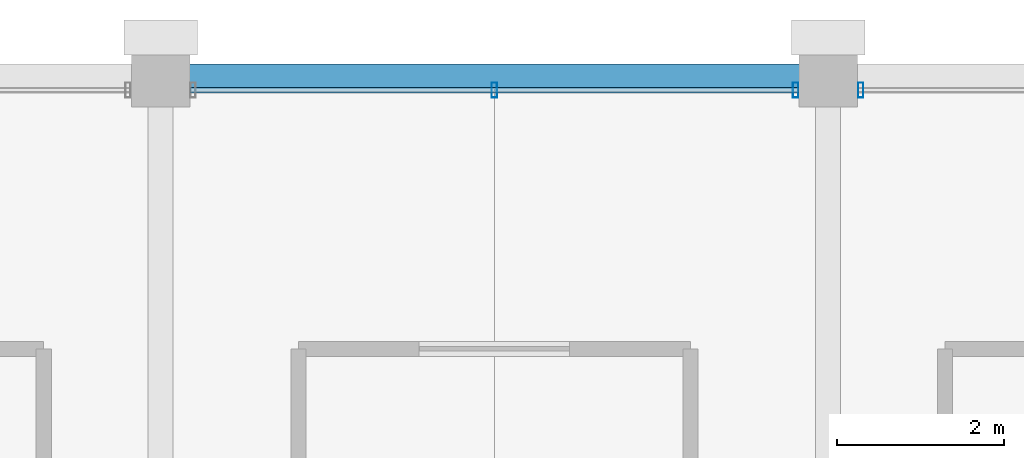
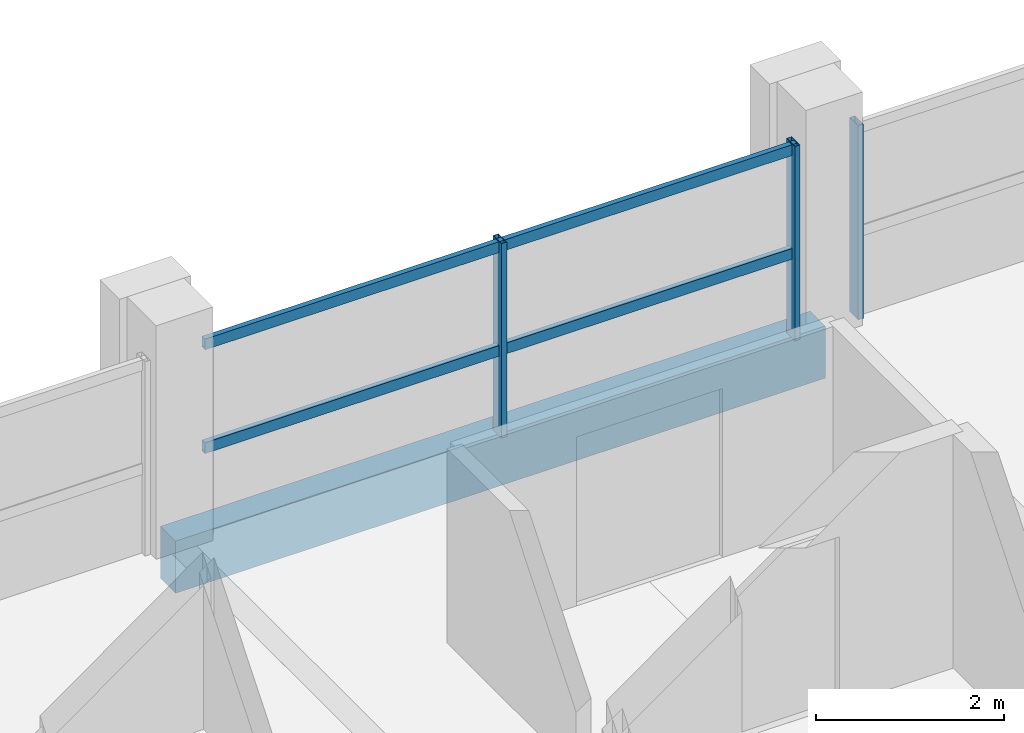
# One storey, part 17 of 24: 5 members, 1 beam, 2 elements without a shape of their own.
"""IFC4 building model written with IfcOpenShell, lengths in metres."""

from ifc_helpers import new_model, si_unit, direction, frame, origin, origin_2d, place, context, subcontext, project, spatial, rectangle, hollow_rectangle, extrude, material, material_profile, profile_set, type_object, element, aggregate, save


model = new_model("IFC4")

# Units and contexts
model_context = context("Model", 3, precision=1e-05, world=origin(), true_north=direction((0.0, 1.0)))
body_context = subcontext(model_context, "Body", "Model", "MODEL_VIEW")
ifc_project = project(units=[si_unit("LENGTHUNIT", "METRE"), si_unit("AREAUNIT", "SQUARE_METRE"), si_unit("VOLUMEUNIT", "CUBIC_METRE"), si_unit("PLANEANGLEUNIT", "RADIAN"), si_unit("MASSUNIT", "GRAM", prefix="KILO")], contexts=[model_context])

# Site, building, storey
site_placement = place(None, origin())
site = spatial("IfcSite", under=ifc_project, at=site_placement, CompositionType="ELEMENT")
building_placement = place(site_placement, origin())
building = spatial("IfcBuilding", under=site, at=building_placement, Name="Akrevak Sports Hall", CompositionType="ELEMENT")
storey_placement = place(building_placement, frame((0.0, 0.0, 60.050048828125)))
storey = spatial("IfcBuildingStorey", under=building, at=storey_placement, Name="L15", CompositionType="ELEMENT", Elevation=60.050048828125)

# Curtain wall, member
ifc_material_1 = material(Name="Anodized Bronze Aluminium & Low-E Glass", Category="aluminium")
curtain_wall_type = type_object("IfcCurtainWallType", Name="ARC-CW-TWR-56x30", PredefinedType="NOTDEFINED", material=ifc_material_1)
curtain_wall_1_placement = place(storey_placement, origin())
curtain_wall_1 = element("IfcCurtainWall", 1, at=curtain_wall_1_placement, inside=storey, type_object=curtain_wall_type, Name="Curtain Wall CW-L15-N19", PredefinedType="NOTDEFINED")
ifc_material_2 = material(Name="Anodized Bronze Aluminium", Category="aluminium")
ifc_material_profile_1 = material_profile(ifc_material_2, hollow_rectangle(XDim=0.06494140625, YDim=0.179931640625, WallThickness=0.00390625, at=origin_2d()), Name="CWM 65x180", Category="aluminium")
ifc_profile_set_1 = profile_set([ifc_material_profile_1], Name="Anodized Bronze Aluminium")
member_type_1 = type_object("IfcMemberType", Name="ARC-CWM-65x140", PredefinedType="MULLION", material=ifc_profile_set_1)
member_1_placement = place(storey_placement, frame((84.389892578125, 69.449951171875, 0.0), z_axis=(0.0, 0.0, 1.0), x_axis=(-1.0, 0.0, 0.0)))
member_1 = element("IfcMember", 2, at=member_1_placement, type_object=member_type_1, Name="Curtain Wall Mullion CW-L15-N19-M3", PredefinedType="MULLION", context=body_context, shape_type="SweptSolid", body=[
    extrude(hollow_rectangle(XDim=0.06494140625, YDim=0.179931640625, WallThickness=0.00390625, at=origin_2d()), origin(), (0.0, 0.0, 1.0), 2.530029296875),
])
aggregate(curtain_wall_1, [member_1])

# Curtain wall, members
curtain_wall_2_placement = place(storey_placement, origin())
curtain_wall_2 = element("IfcCurtainWall", 3, at=curtain_wall_2_placement, inside=storey, type_object=curtain_wall_type, Name="Curtain Wall CW-L15-N20", PredefinedType="NOTDEFINED")
member_2_placement = place(storey_placement, frame((83.610107421875, 69.449951171875, 0.0), z_axis=(0.0, 0.0, 1.0), x_axis=(-1.0, 0.0, 0.0)))
member_2 = element("IfcMember", 4, at=member_2_placement, type_object=member_type_1, Name="Curtain Wall Mullion CW-L15-N20-M1", PredefinedType="MULLION", context=body_context, shape_type="SweptSolid", body=[
    extrude(hollow_rectangle(XDim=0.06494140625, YDim=0.179931640625, WallThickness=0.00390625, at=origin_2d()), origin(), (0.0, 0.0, 1.0), 2.530029296875),
])
member_3_placement = place(storey_placement, frame((80.0, 69.449951171875, 0.0), z_axis=(0.0, 0.0, 1.0), x_axis=(-1.0, 0.0, 0.0)))
member_3 = element("IfcMember", 5, at=member_3_placement, type_object=member_type_1, Name="Curtain Wall Mullion CW-L15-N20-M2", PredefinedType="MULLION", context=body_context, shape_type="SweptSolid", body=[
    extrude(hollow_rectangle(XDim=0.06494140625, YDim=0.179931640625, WallThickness=0.00390625, at=origin_2d()), origin(), (0.0, 0.0, 1.0), 2.530029296875),
])
ifc_material_profile_2 = material_profile(ifc_material_2, hollow_rectangle(XDim=0.06494140625, YDim=0.139892578125, WallThickness=0.00390625, at=origin_2d()), Name="CWT 65x140", Category="aluminium")
ifc_profile_set_2 = profile_set([ifc_material_profile_2], Name="Anodized Bronze Aluminium")
member_type_2 = type_object("IfcMemberType", Name="ARC-CWT-65x110", PredefinedType="USERDEFINED", material=ifc_profile_set_2)
member_4_placement = place(storey_placement, frame((83.64990234375, 69.449951171875, 1.099853515625), z_axis=(-1.0, 0.0, 0.0), x_axis=(0.0, -1.0, 0.0)))
member_4 = element("IfcMember", 6, at=member_4_placement, type_object=member_type_2, Name="Curtain Wall Transom CW-L15-N20-T1", ObjectType="TRANSOM", PredefinedType="USERDEFINED", context=body_context, shape_type="SweptSolid", body=[
    extrude(hollow_rectangle(XDim=0.06494140625, YDim=0.139892578125, WallThickness=0.00390625, at=origin_2d()), origin(), (0.0, 0.0, 1.0), 7.2998046875),
])
member_5_placement = place(storey_placement, frame((83.64990234375, 69.449951171875, 2.449951171875), z_axis=(-1.0, 0.0, 0.0), x_axis=(0.0, -1.0, 0.0)))
member_5 = element("IfcMember", 7, at=member_5_placement, type_object=member_type_2, Name="Curtain Wall Transom CW-L15-N20-T2", ObjectType="TRANSOM", PredefinedType="USERDEFINED", context=body_context, shape_type="SweptSolid", body=[
    extrude(hollow_rectangle(XDim=0.06494140625, YDim=0.139892578125, WallThickness=0.00390625, at=origin_2d()), origin(), (0.0, 0.0, 1.0), 7.2998046875),
])
aggregate(curtain_wall_2, [member_2, member_3, member_4, member_5])

# Beam
ifc_material_3 = material(Name="Concrete C40/50", Category="concrete")
ifc_material_profile_3 = material_profile(ifc_material_3, rectangle(XDim=0.320068359375, YDim=0.679931640625, at=origin_2d()), Name="SPD 320x680", Category="concrete")
ifc_profile_set_3 = profile_set([ifc_material_profile_3], Name="Concrete C40/50")
beam_type = type_object("IfcBeamType", Name="STR-SPD-RC320x680", PredefinedType="SPANDREL", material=ifc_profile_set_3)
beam_placement = place(storey_placement, frame((76.0, 69.60009765625, -0.340087890625), z_axis=(1.0, 0.0, 0.0), x_axis=(0.0, 1.0, 0.0)))
element("IfcBeam", 8, at=beam_placement, inside=storey, type_object=beam_type, Name="Girder K/11-12 (L15)", PredefinedType="SPANDREL", context=body_context, shape_type="SweptSolid", body=[
    extrude(rectangle(XDim=0.320068359375, YDim=0.679931640625, at=origin_2d()), origin(), (0.0, 0.0, 1.0), 8.0),
])

save(model, "model.ifc")
